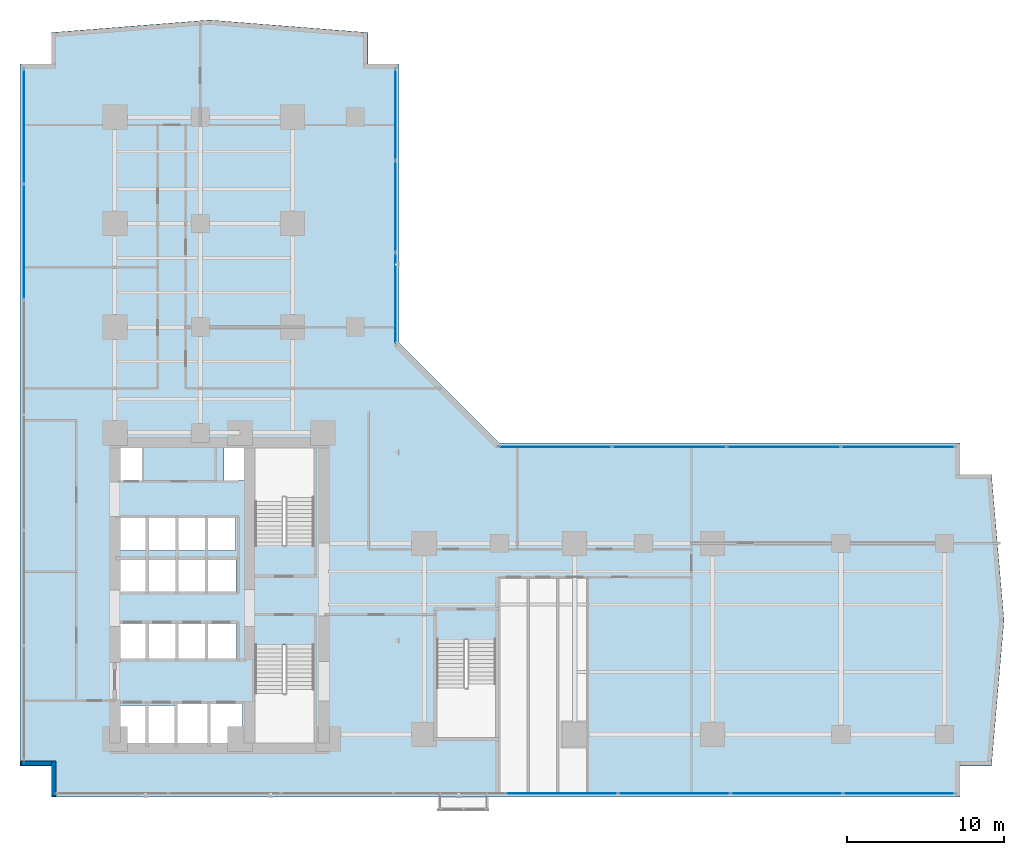
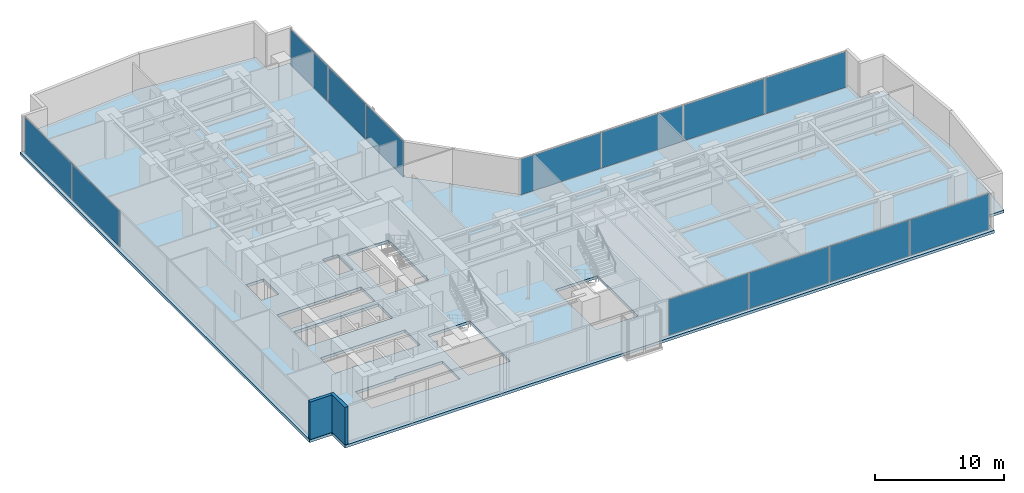
# One storey, part 21 of 27: 13 plates, 2 walls, 1 slab, 4 elements without a shape of their own.
"""IFC4 building model written with IfcOpenShell, lengths in metres."""

import ifcopenshell
import ifcopenshell.guid

model = None  # the IFC model being written
_history = None  # IfcOwnerHistory: only IFC2X3 demands one
_inside = {}  # id of a spatial element -> (the spatial element, [elements in it])
_under = {}  # id of a project, library or spatial element -> (it, [spatial elements below it])
_declared = {}  # id of a project -> (the project, [libraries it declares])
_typed = {}  # id of a type object -> (the type object, [elements of that type])
_made_of = {}  # id of a material, layer set ... -> (it, [elements and type objects made of it])


def new_model(schema):
    """Start an empty IFC model of exactly this schema.

    Asked for "IFC4X3", IfcOpenShell would pick the latest addendum, in which some entities
    have other attributes; the version numbers below select the first issue.
    IFC2X3 requires an IfcOwnerHistory on every rooted entity: one is made here for all.
    """
    global model, _history
    if schema == "IFC4X3":
        model = ifcopenshell.file(schema_version=(4, 3, 0, 0))
    else:
        model = ifcopenshell.file(schema=schema)
    _inside.clear()
    _under.clear()
    _declared.clear()
    _typed.clear()
    _made_of.clear()
    _history = None
    if model.schema == "IFC2X3":
        org = make("IfcOrganization", Name="unknown")
        user = make(
            "IfcPersonAndOrganization",
            ThePerson=make("IfcPerson", FamilyName="unknown"),
            TheOrganization=org,
        )
        app = make(
            "IfcApplication",
            ApplicationDeveloper=org,
            Version="unknown",
            ApplicationFullName="unknown",
            ApplicationIdentifier="unknown",
        )
        _history = make(
            "IfcOwnerHistory",
            OwningUser=user,
            OwningApplication=app,
            ChangeAction="ADDED",
            CreationDate=0,
        )
    return model


def make(cls, **values):
    """One entity of the class cls with the attributes given. An attribute that is None is left unset."""
    return model.create_entity(
        cls, **{name: value for name, value in values.items() if value is not None}
    )


def rooted(cls, **values):
    """An entity with a GlobalId (a new one), such as an element, a storey or a relation."""
    return make(cls, GlobalId=ifcopenshell.guid.new(), OwnerHistory=_history, **values)


def si_unit(unit_type, name, prefix=None):
    """IfcSIUnit, for example si_unit("LENGTHUNIT", "METRE", prefix="MILLI")."""
    return make("IfcSIUnit", UnitType=unit_type, Prefix=prefix, Name=name)


def assignment(units):
    """IfcUnitAssignment: the units of a project."""
    return None if units is None else make("IfcUnitAssignment", Units=units)


def point(xyz):
    """IfcCartesianPoint."""
    return None if xyz is None else make("IfcCartesianPoint", Coordinates=xyz)


def direction(xyz):
    """IfcDirection."""
    return None if xyz is None else make("IfcDirection", DirectionRatios=xyz)


def frame(location, z_axis=None, x_axis=None):
    """IfcAxis2Placement3D, a coordinate frame: its origin and axes. An axis left out is left unset."""
    return make(
        "IfcAxis2Placement3D",
        Location=point(location),
        Axis=direction(z_axis),
        RefDirection=direction(x_axis),
    )


def frame_2d(location, x_axis=None):
    """IfcAxis2Placement2D, a coordinate frame in the plane: its origin and x axis."""
    return make(
        "IfcAxis2Placement2D", Location=point(location), RefDirection=direction(x_axis)
    )


def origin():
    """The frame at (0, 0, 0) with its axes left unset."""
    return frame((0.0, 0.0, 0.0))


def origin_with_axes():
    """The frame at (0, 0, 0) with the z axis (0, 0, 1) and the x axis (1, 0, 0) written out."""
    return frame((0.0, 0.0, 0.0), z_axis=(0.0, 0.0, 1.0), x_axis=(1.0, 0.0, 0.0))


def origin_2d():
    """The frame at (0, 0) in the plane with its x axis left unset."""
    return frame_2d((0.0, 0.0))


def place(relative_to, where):
    """IfcLocalPlacement: puts the frame where relative to a parent placement (None: the world)."""
    return make(
        "IfcLocalPlacement", PlacementRelTo=relative_to, RelativePlacement=where
    )


def context(
    kind, dimensions, precision=None, world=None, true_north=None, identifier=None
):
    """IfcGeometricRepresentationContext, for example the 3D "Model" context."""
    return make(
        "IfcGeometricRepresentationContext",
        ContextIdentifier=identifier,
        ContextType=kind,
        CoordinateSpaceDimension=dimensions,
        Precision=precision,
        WorldCoordinateSystem=world,
        TrueNorth=true_north,
    )


def subcontext(parent, identifier, kind, view, scale=None):
    """IfcGeometricRepresentationSubContext, for example "Body" below "Model"."""
    return make(
        "IfcGeometricRepresentationSubContext",
        ContextIdentifier=identifier,
        ContextType=kind,
        ParentContext=parent,
        TargetScale=scale,
        TargetView=view,
    )


def project(units=None, contexts=None):
    """IfcProject with its units and contexts."""
    return rooted(
        "IfcProject",
        Name="project",
        RepresentationContexts=contexts,
        UnitsInContext=assignment(units),
    )


def spatial(cls, under=None, at=None, **own):
    """A site, building, storey or space (cls), placed at a placement, below another one or the project."""
    s = rooted(cls, ObjectPlacement=at, **own)
    if under is not None:
        _under.setdefault(under.id(), (under, []))[1].append(s)
    return s


def polyline(points):
    """IfcPolyline through the points."""
    return make("IfcPolyline", Points=[point(p) for p in points])


def profile(cls, at=None, kind="AREA", **sizes):
    """A parametric profile (cls). Its sizes go by their IFC names, for example OverallWidth=200.0."""
    return make(cls, ProfileType=kind, Position=at, **sizes)


def rectangle(**sizes):
    """IfcRectangleProfileDef."""
    return profile("IfcRectangleProfileDef", **sizes)


def outline(outer, holes=None, kind="AREA"):
    """IfcArbitraryClosedProfileDef: a profile drawn as a closed curve; with holes, ...WithVoids."""
    if holes is None:
        return make("IfcArbitraryClosedProfileDef", ProfileType=kind, OuterCurve=outer)
    return make(
        "IfcArbitraryProfileDefWithVoids",
        ProfileType=kind,
        OuterCurve=outer,
        InnerCurves=holes,
    )


def extrude(swept, where, along, depth):
    """IfcExtrudedAreaSolid: the profile swept, set in the frame where, extruded along a direction by depth."""
    return make(
        "IfcExtrudedAreaSolid",
        SweptArea=swept,
        Position=where,
        ExtrudedDirection=direction(along),
        Depth=depth,
    )


def shape(context_of_items, identifier, shape_type, items):
    """IfcShapeRepresentation: the items that make up one representation, for example the "Body"."""
    return make(
        "IfcShapeRepresentation",
        ContextOfItems=context_of_items,
        RepresentationIdentifier=identifier,
        RepresentationType=shape_type,
        Items=items,
    )


def source(mapping_origin, context_of_items, identifier, shape_type, items):
    """IfcRepresentationMap: a shape defined once, which mapped items show again and again."""
    return make(
        "IfcRepresentationMap",
        MappingOrigin=mapping_origin,
        MappedRepresentation=shape(context_of_items, identifier, shape_type, items),
    )


def transform(
    local_origin,
    x_axis=None,
    y_axis=None,
    z_axis=None,
    scale=None,
    scale2=None,
    scale3=None,
    uniform=True,
):
    """IfcCartesianTransformationOperator3D, or its non-uniform kind. x_axis, y_axis, z_axis: its Axis1, 2, 3."""
    if uniform:
        return make(
            "IfcCartesianTransformationOperator3D",
            Axis1=direction(x_axis),
            Axis2=direction(y_axis),
            LocalOrigin=point(local_origin),
            Scale=scale,
            Axis3=direction(z_axis),
        )
    return make(
        "IfcCartesianTransformationOperator3DnonUniform",
        Axis1=direction(x_axis),
        Axis2=direction(y_axis),
        LocalOrigin=point(local_origin),
        Scale=scale,
        Axis3=direction(z_axis),
        Scale2=scale2,
        Scale3=scale3,
    )


def mapped(mapping_source, mapping_target):
    """IfcMappedItem: shows the shape of a source again, moved by a transform."""
    return make(
        "IfcMappedItem", MappingSource=mapping_source, MappingTarget=mapping_target
    )


def material(Name=None, Category=None):
    """IfcMaterial."""
    return make("IfcMaterial", Name=Name, Category=Category)


def layer(
    of_material, thickness, ventilated=None, Name=None, Category=None, Priority=None
):
    """IfcMaterialLayer: one layer of a wall or slab, of a material (None: an air gap)."""
    return make(
        "IfcMaterialLayer",
        Material=of_material,
        LayerThickness=thickness,
        IsVentilated=ventilated,
        Name=Name,
        Category=Category,
        Priority=Priority,
    )


def layer_set(layers, Name=None):
    """IfcMaterialLayerSet."""
    return make("IfcMaterialLayerSet", MaterialLayers=layers, LayerSetName=Name)


def made_of(thing, what):
    """Note that an element or type object is made of a material, layer set ...; save() writes the relation."""
    if what is not None:
        _made_of.setdefault(what.id(), (what, []))[1].append(thing)
    return thing


def type_object(cls, material=None, **own):
    """A type object (cls), such as IfcWallType, which elements share."""
    return made_of(rooted(cls, **own), material)


def element(
    cls,
    number,
    at=None,
    inside=None,
    cuts=None,
    type_object=None,
    material=None,
    context=None,
    identifier="Body",
    shape_type=None,
    held_by="IfcProductDefinitionShape",
    body=None,
    shapes=None,
    **own,
):
    """One element of the class cls, such as IfcWall. Its Tag is "e" and its number.

    at: its placement. inside: the storey or other place that contains it. cuts: it is an
    opening in that element (IfcRelVoidsElement). A single representation is given by context,
    identifier, shape_type and body (its items); several are given by shapes. held_by: the class
    of the entity that holds the representations. save() writes the other relations.
    """
    e = rooted(cls, Tag="e%d" % number, ObjectPlacement=at, **own)
    if body is not None:
        shapes = [shape(context, identifier, shape_type, body)]
    if shapes is not None:
        e.Representation = make(held_by, Representations=shapes)
    if inside is not None:
        _inside.setdefault(inside.id(), (inside, []))[1].append(e)
    if cuts is not None:
        rooted(
            "IfcRelVoidsElement", RelatingBuildingElement=cuts, RelatedOpeningElement=e
        )
    if type_object is not None:
        _typed.setdefault(type_object.id(), (type_object, []))[1].append(e)
    return made_of(e, material)


def aggregate(whole, parts):
    """IfcRelAggregates: a whole, such as a stair, and the parts it consists of."""
    return rooted("IfcRelAggregates", RelatingObject=whole, RelatedObjects=parts)


def save(model, path):
    """Write the relations noted so far, then the file.

    IfcRelAggregates (storeys below a building ...), IfcRelContainedInSpatialStructure (elements
    in a storey), IfcRelDefinesByType, IfcRelAssociatesMaterial and IfcRelDeclares: one each for
    every whole, place, type object, material and project.
    """
    for whole, parts in _under.values():
        aggregate(whole, parts)
    for where, things in _inside.values():
        rooted(
            "IfcRelContainedInSpatialStructure",
            RelatedElements=things,
            RelatingStructure=where,
        )
    for kind, things in _typed.values():
        rooted("IfcRelDefinesByType", RelatedObjects=things, RelatingType=kind)
    for what, things in _made_of.values():
        rooted("IfcRelAssociatesMaterial", RelatedObjects=things, RelatingMaterial=what)
    for by, libraries in _declared.values():
        rooted("IfcRelDeclares", RelatingContext=by, RelatedDefinitions=libraries)
    model.write(path)


model = new_model("IFC4")

# Units and contexts
model_context = context("Model", 3, precision=1e-05, world=origin(), true_north=direction((0.0, 1.0)))
body_context = subcontext(model_context, "Body", "Model", "MODEL_VIEW")
ifc_project = project(units=[si_unit("LENGTHUNIT", "METRE"), si_unit("AREAUNIT", "SQUARE_METRE"), si_unit("VOLUMEUNIT", "CUBIC_METRE"), si_unit("PLANEANGLEUNIT", "RADIAN"), si_unit("MASSUNIT", "GRAM", prefix="KILO")], contexts=[model_context])

# Site, building, storey
site_placement = place(None, origin())
site = spatial("IfcSite", under=ifc_project, at=site_placement, CompositionType="ELEMENT")
building_placement = place(site_placement, origin())
building = spatial("IfcBuilding", under=site, at=building_placement, Name="Kolvaren Waterfront Exchange", CompositionType="ELEMENT")
storey_placement = place(building_placement, frame((0.0, 0.0, 33.39990234375)))
storey = spatial("IfcBuildingStorey", under=building, at=storey_placement, Name="L08", CompositionType="ELEMENT", Elevation=33.39990234375)

# Slab
ifc_material_1 = material(Name="Concrete C40/50", Category="concrete")
ifc_layer_1 = layer(ifc_material_1, 0.260009765625, Name="Concrete C40/50")
ifc_layer_set_1 = layer_set([ifc_layer_1], Name="Concrete C40/50")
slab_type = type_object("IfcSlabType", Name="STR-SLAB-260", PredefinedType="FLOOR", material=ifc_layer_set_1)
slab_placement = place(storey_placement, frame((0.0, 0.0, -0.260009765625)))
element("IfcSlab", 1, at=slab_placement, inside=storey, type_object=slab_type, Name="L08 structural floor slab", PredefinedType="FLOOR", context=body_context, shape_type="SweptSolid", body=[
    extrude(outline(polyline([(3.39990234375, 1.199951171875), (61.39990234375, 1.199951171875), (61.39990234375, 3.199951171875), (63.39990234375, 3.199951171875), (64.199951171875, 12.5), (63.39990234375, 21.800048828125), (61.39990234375, 21.800048828125), (61.39990234375, 23.800048828125), (32.0, 23.800048828125), (25.60009765625, 30.199951171875), (25.60009765625, 48.0), (23.60009765625, 48.0), (23.60009765625, 50.0), (13.5, 50.800048828125), (3.39990234375, 50.0), (3.39990234375, 48.0), (1.39990234375, 48.0), (1.39990234375, 3.199951171875), (3.39990234375, 3.199951171875), (3.39990234375, 1.199951171875)]), holes=[polyline([(11.320068359375, 7.260009765625), (15.610107421875, 7.260009765625), (15.610107421875, 4.5400390625), (7.719970703125, 4.5400390625), (7.719970703125, 7.06005859375), (11.320068359375, 7.06005859375), (11.320068359375, 7.260009765625)]), polyline([(20.159912109375, 4.64990234375), (16.39990234375, 4.64990234375), (16.39990234375, 10.89990234375), (20.159912109375, 10.89990234375), (20.159912109375, 4.64990234375)]), polyline([(31.760009765625, 5.0), (28.0, 5.0), (28.0, 11.25), (31.760009765625, 11.25), (31.760009765625, 5.0)]), polyline([(15.2099609375, 10.0400390625), (7.6201171875, 10.0400390625), (7.6201171875, 12.360107421875), (15.2099609375, 12.360107421875), (15.2099609375, 10.0400390625)]), polyline([(7.64501953125, 16.4599609375), (15.18505859375, 16.4599609375), (15.18505859375, 14.239990234375), (7.64501953125, 14.239990234375), (7.64501953125, 16.4599609375)]), polyline([(15.159912109375, 16.93994140625), (7.669921875, 16.93994140625), (7.669921875, 19.06005859375), (15.159912109375, 19.06005859375), (15.159912109375, 16.93994140625)]), polyline([(16.39990234375, 23.5), (20.159912109375, 23.5), (20.159912109375, 17.25), (16.39990234375, 17.25), (16.39990234375, 23.5)]), polyline([(7.60009765625, 23.780029296875), (9.179931640625, 23.780029296875), (9.179931640625, 21.419921875), (7.60009765625, 21.419921875), (7.60009765625, 23.780029296875)]), polyline([(15.800048828125, 23.780029296875), (15.800048828125, 21.419921875), (14.419921875, 21.419921875), (14.419921875, 23.780029296875), (15.800048828125, 23.780029296875)])]), origin(), (0.0, 0.0, 1.0), 0.260009765625),
])

# Curtain wall, plates
ifc_material_2 = material(Name="Anodised bronze aluminium 6063-T6", Category="aluminium")
ifc_layer_2 = layer(ifc_material_2, 0.219970703125, Name="Anodised bronze aluminium 6063-T6")
ifc_layer_set_2 = layer_set([ifc_layer_2], Name="Anodised bronze aluminium 6063-T6")
curtain_wall_type_1 = type_object("IfcCurtainWallType", Name="ARC-CW-SYS1", PredefinedType="USERDEFINED", material=ifc_layer_set_2)
curtain_wall_1_placement = place(storey_placement, origin())
curtain_wall_1 = element("IfcCurtainWall", 2, at=curtain_wall_1_placement, inside=storey, type_object=curtain_wall_type_1, Name="L08 stick curtain wall CW1 (CW-L08-S)", ObjectType="STICK CURTAIN WALL", PredefinedType="USERDEFINED")
ifc_material_3 = material(Name="Bronze solar control vision glass", Category="aluminium")
ifc_layer_3 = layer(ifc_material_3, 0.028076171875, Name="Bronze solar control vision glass")
ifc_layer_set_3 = layer_set([ifc_layer_3], Name="Bronze solar control vision glass")
plate_type_1 = type_object("IfcPlateType", Name="ARC-CWP-28", PredefinedType="CURTAIN_PANEL", material=ifc_layer_set_3)
shared_shape_1 = source(origin_with_axes(), body_context, "Body", "SweptSolid", [
    extrude(rectangle(XDim=7.054931640625, YDim=0.028076171875, at=origin_2d()), origin(), (0.0, 0.0, 1.0), 3.389892578125),
])
plate_1_placement = place(storey_placement, frame((57.492431640625, 1.43994140625, 0.0751953125), z_axis=(0.0, 0.0, 1.0), x_axis=(1.0, 0.0, 0.0)))
plate_1 = element("IfcPlate", 3, at=plate_1_placement, type_object=plate_type_1, Name="CW1 panel 8.1", PredefinedType="CURTAIN_PANEL", context=body_context, shape_type="MappedRepresentation", body=[
    mapped(shared_shape_1, transform((0.0, 0.0, 0.0), x_axis=(1.0, 0.0, 0.0), y_axis=(0.0, 1.0, 0.0), z_axis=(0.0, 0.0, 1.0), scale=1.0)),
])
shared_shape_2 = source(origin_with_axes(), body_context, "Body", "SweptSolid", [
    extrude(rectangle(XDim=7.094970703125, YDim=0.028076171875, at=origin_2d()), origin(), (0.0, 0.0, 1.0), 3.389892578125),
])
plate_2_placement = place(storey_placement, frame((35.987548828125, 1.43994140625, 0.0751953125), z_axis=(0.0, 0.0, 1.0), x_axis=(1.0, 0.0, 0.0)))
plate_2 = element("IfcPlate", 4, at=plate_2_placement, type_object=plate_type_1, Name="CW1 panel 5.1", PredefinedType="CURTAIN_PANEL", context=body_context, shape_type="MappedRepresentation", body=[
    mapped(shared_shape_2, transform((0.0, 0.0, 0.0), x_axis=(1.0, 0.0, 0.0), y_axis=(0.0, 1.0, 0.0), z_axis=(0.0, 0.0, 1.0), scale=1.0)),
])
plate_3_placement = place(storey_placement, frame((43.16259765625, 1.43994140625, 0.0751953125), z_axis=(0.0, 0.0, 1.0), x_axis=(1.0, 0.0, 0.0)))
plate_3 = element("IfcPlate", 5, at=plate_3_placement, type_object=plate_type_1, Name="CW1 panel 6.1", PredefinedType="CURTAIN_PANEL", context=body_context, shape_type="MappedRepresentation", body=[
    mapped(shared_shape_2, transform((0.0, 0.0, 0.0), x_axis=(1.0, 0.0, 0.0), y_axis=(0.0, 1.0, 0.0), z_axis=(0.0, 0.0, 1.0), scale=1.0)),
])
plate_4_placement = place(storey_placement, frame((50.33740234375, 1.43994140625, 0.0751953125), z_axis=(0.0, 0.0, 1.0), x_axis=(1.0, 0.0, 0.0)))
plate_4 = element("IfcPlate", 6, at=plate_4_placement, type_object=plate_type_1, Name="CW1 panel 7.1", PredefinedType="CURTAIN_PANEL", context=body_context, shape_type="MappedRepresentation", body=[
    mapped(shared_shape_2, transform((0.0, 0.0, 0.0), x_axis=(1.0, 0.0, 0.0), y_axis=(0.0, 1.0, 0.0), z_axis=(0.0, 0.0, 1.0), scale=1.0)),
])
aggregate(curtain_wall_1, [plate_2, plate_3, plate_4, plate_1])

ifc_material_4 = material(Name="Anodised aluminium 6063-T6", Category="aluminium")
ifc_layer_4 = layer(ifc_material_4, 0.219970703125, Name="Anodised aluminium 6063-T6")
ifc_layer_set_4 = layer_set([ifc_layer_4], Name="Anodised aluminium 6063-T6")
curtain_wall_type_2 = type_object("IfcCurtainWallType", Name="ARC-CW-SYS2", PredefinedType="USERDEFINED", material=ifc_layer_set_4)
curtain_wall_2_placement = place(storey_placement, origin())
curtain_wall_2 = element("IfcCurtainWall", 7, at=curtain_wall_2_placement, inside=storey, type_object=curtain_wall_type_2, Name="L08 stick curtain wall CW2 (CW-L08-W)", ObjectType="STICK CURTAIN WALL", PredefinedType="USERDEFINED")
ifc_material_5 = material(Name="Acoustic laminated vision glass", Category="glass")
ifc_layer_5 = layer(ifc_material_5, 0.031982421875, Name="Acoustic laminated vision glass")
ifc_layer_set_5 = layer_set([ifc_layer_5], Name="Acoustic laminated vision glass")
plate_type_2 = type_object("IfcPlateType", Name="ARC-CWP-32", PredefinedType="CURTAIN_PANEL", material=ifc_layer_set_5)
shared_shape_3 = source(origin_with_axes(), body_context, "Body", "SweptSolid", [
    extrude(rectangle(XDim=7.24658203125, YDim=0.031982421875, at=origin_2d()), origin(), (0.0, 0.0, 1.0), 3.389892578125),
])
plate_5_placement = place(storey_placement, frame((1.639892578125, 43.99658203125, 0.0751953125), z_axis=(0.0, 0.0, 1.0), x_axis=(0.0, 1.0, 0.0)))
plate_5 = element("IfcPlate", 8, at=plate_5_placement, type_object=plate_type_2, Name="CW2 panel 6.1", PredefinedType="CURTAIN_PANEL", context=body_context, shape_type="MappedRepresentation", body=[
    mapped(shared_shape_3, transform((0.0, 0.0, 0.0), x_axis=(1.0, 0.0, 0.0), y_axis=(0.0, 1.0, 0.0), z_axis=(0.0, 0.0, 1.0), scale=1.0)),
])
shared_shape_4 = source(origin_with_axes(), body_context, "Body", "SweptSolid", [
    extrude(rectangle(XDim=7.28662109375, YDim=0.031982421875, at=origin_2d()), origin(), (0.0, 0.0, 1.0), 3.389892578125),
])
plate_6_placement = place(storey_placement, frame((1.639892578125, 36.64990234375, 0.0751953125), z_axis=(0.0, 0.0, 1.0), x_axis=(0.0, 1.0, 0.0)))
plate_6 = element("IfcPlate", 9, at=plate_6_placement, type_object=plate_type_2, Name="CW2 panel 5.1", PredefinedType="CURTAIN_PANEL", context=body_context, shape_type="MappedRepresentation", body=[
    mapped(shared_shape_4, transform((0.0, 0.0, 0.0), x_axis=(1.0, 0.0, 0.0), y_axis=(0.0, 1.0, 0.0), z_axis=(0.0, 0.0, 1.0), scale=1.0)),
])
aggregate(curtain_wall_2, [plate_6, plate_5])

curtain_wall_3_placement = place(storey_placement, origin())
curtain_wall_3 = element("IfcCurtainWall", 10, at=curtain_wall_3_placement, inside=storey, type_object=curtain_wall_type_1, Name="L08 stick curtain wall CW1 (CW-L08-NE)", ObjectType="STICK CURTAIN WALL", PredefinedType="USERDEFINED")
shared_shape_5 = source(origin_with_axes(), body_context, "Body", "SweptSolid", [
    extrude(rectangle(XDim=5.75, YDim=0.028076171875, at=origin_2d()), origin(), (0.0, 0.0, 1.0), 3.389892578125),
])
plate_7_placement = place(storey_placement, frame((25.360107421875, 33.044921875, 0.0751953125), z_axis=(0.0, 0.0, 1.0), x_axis=(0.0, 1.0, 0.0)))
plate_7 = element("IfcPlate", 11, at=plate_7_placement, type_object=plate_type_1, Name="CW1 panel 1.1", PredefinedType="CURTAIN_PANEL", context=body_context, shape_type="MappedRepresentation", body=[
    mapped(shared_shape_5, transform((0.0, 0.0, 0.0), x_axis=(1.0, 0.0, 0.0), y_axis=(0.0, 1.0, 0.0), z_axis=(0.0, 0.0, 1.0), scale=1.0)),
])
plate_8_placement = place(storey_placement, frame((25.360107421875, 44.7451171875, 0.0751953125), z_axis=(0.0, 0.0, 1.0), x_axis=(0.0, 1.0, 0.0)))
plate_8 = element("IfcPlate", 12, at=plate_8_placement, type_object=plate_type_1, Name="CW1 panel 3.1", PredefinedType="CURTAIN_PANEL", context=body_context, shape_type="MappedRepresentation", body=[
    mapped(shared_shape_5, transform((0.0, 0.0, 0.0), x_axis=(1.0, 0.0, 0.0), y_axis=(0.0, 1.0, 0.0), z_axis=(0.0, 0.0, 1.0), scale=1.0)),
])
shared_shape_6 = source(origin_with_axes(), body_context, "Body", "SweptSolid", [
    extrude(rectangle(XDim=5.7900390625, YDim=0.028076171875, at=origin_2d()), origin(), (0.0, 0.0, 1.0), 3.389892578125),
])
plate_9_placement = place(storey_placement, frame((25.360107421875, 38.89501953125, 0.0751953125), z_axis=(0.0, 0.0, 1.0), x_axis=(0.0, 1.0, 0.0)))
plate_9 = element("IfcPlate", 13, at=plate_9_placement, type_object=plate_type_1, Name="CW1 panel 2.1", PredefinedType="CURTAIN_PANEL", context=body_context, shape_type="MappedRepresentation", body=[
    mapped(shared_shape_6, transform((0.0, 0.0, 0.0), x_axis=(1.0, 0.0, 0.0), y_axis=(0.0, 1.0, 0.0), z_axis=(0.0, 0.0, 1.0), scale=1.0)),
])
aggregate(curtain_wall_3, [plate_7, plate_9, plate_8])

curtain_wall_4_placement = place(storey_placement, origin())
curtain_wall_4 = element("IfcCurtainWall", 14, at=curtain_wall_4_placement, inside=storey, type_object=curtain_wall_type_1, Name="L08 stick curtain wall CW1 (CW-L08-EN)", ObjectType="STICK CURTAIN WALL", PredefinedType="USERDEFINED")
shared_shape_7 = source(origin_with_axes(), body_context, "Body", "SweptSolid", [
    extrude(rectangle(XDim=7.1826171875, YDim=0.028076171875, at=origin_2d()), origin(), (0.0, 0.0, 1.0), 3.389892578125),
])
plate_10_placement = place(storey_placement, frame((35.561279296875, 23.56005859375, 0.0751953125), z_axis=(0.0, 0.0, 1.0), x_axis=(1.0, 0.0, 0.0)))
plate_10 = element("IfcPlate", 15, at=plate_10_placement, type_object=plate_type_1, Name="CW1 panel 1.1", PredefinedType="CURTAIN_PANEL", context=body_context, shape_type="MappedRepresentation", body=[
    mapped(shared_shape_7, transform((0.0, 0.0, 0.0), x_axis=(1.0, 0.0, 0.0), y_axis=(0.0, 1.0, 0.0), z_axis=(0.0, 0.0, 1.0), scale=1.0)),
])
plate_11_placement = place(storey_placement, frame((57.4287109375, 23.56005859375, 0.0751953125), z_axis=(0.0, 0.0, 1.0), x_axis=(1.0, 0.0, 0.0)))
plate_11 = element("IfcPlate", 16, at=plate_11_placement, type_object=plate_type_1, Name="CW1 panel 4.1", PredefinedType="CURTAIN_PANEL", context=body_context, shape_type="MappedRepresentation", body=[
    mapped(shared_shape_7, transform((0.0, 0.0, 0.0), x_axis=(1.0, 0.0, 0.0), y_axis=(0.0, 1.0, 0.0), z_axis=(0.0, 0.0, 1.0), scale=1.0)),
])
shared_shape_8 = source(origin_with_axes(), body_context, "Body", "SweptSolid", [
    extrude(rectangle(XDim=7.222412109375, YDim=0.028076171875, at=origin_2d()), origin(), (0.0, 0.0, 1.0), 3.389892578125),
])
plate_12_placement = place(storey_placement, frame((42.84375, 23.56005859375, 0.0751953125), z_axis=(0.0, 0.0, 1.0), x_axis=(1.0, 0.0, 0.0)))
plate_12 = element("IfcPlate", 17, at=plate_12_placement, type_object=plate_type_1, Name="CW1 panel 2.1", PredefinedType="CURTAIN_PANEL", context=body_context, shape_type="MappedRepresentation", body=[
    mapped(shared_shape_8, transform((0.0, 0.0, 0.0), x_axis=(1.0, 0.0, 0.0), y_axis=(0.0, 1.0, 0.0), z_axis=(0.0, 0.0, 1.0), scale=1.0)),
])
plate_13_placement = place(storey_placement, frame((50.146240234375, 23.56005859375, 0.0751953125), z_axis=(0.0, 0.0, 1.0), x_axis=(1.0, 0.0, 0.0)))
plate_13 = element("IfcPlate", 18, at=plate_13_placement, type_object=plate_type_1, Name="CW1 panel 3.1", PredefinedType="CURTAIN_PANEL", context=body_context, shape_type="MappedRepresentation", body=[
    mapped(shared_shape_8, transform((0.0, 0.0, 0.0), x_axis=(1.0, 0.0, 0.0), y_axis=(0.0, 1.0, 0.0), z_axis=(0.0, 0.0, 1.0), scale=1.0)),
])
aggregate(curtain_wall_4, [plate_10, plate_12, plate_13, plate_11])

# Walls
ifc_material_6 = material(Name="Precast concrete C40/50", Category="concrete")
ifc_layer_6 = layer(ifc_material_6, 0.280029296875, Name="Precast concrete C40/50")
ifc_layer_set_6 = layer_set([ifc_layer_6], Name="Precast concrete C40/50")
wall_type = type_object("IfcWallType", Name="ARC-EXT-TERR-280", PredefinedType="SOLIDWALL", material=ifc_layer_set_6)
wall_1_placement = place(storey_placement, frame((3.56005859375, 1.260009765625, 0.0), z_axis=(0.0, 0.0, 1.0), x_axis=(0.0, 1.0, 0.0)))
element("IfcWall", 19, at=wall_1_placement, inside=storey, type_object=wall_type, Name="L08 notched corner spandrel pier SW-A", PredefinedType="SOLIDWALL", context=body_context, shape_type="SweptSolid", body=[
    extrude(rectangle(XDim=2.239990234375, YDim=0.280029296875, at=frame_2d((1.1201171875, 0.0))), origin(), (0.0, 0.0, 1.0), 3.5400390625),
])
wall_2_placement = place(storey_placement, frame((1.4599609375, 3.360107421875, 0.0), z_axis=(0.0, 0.0, 1.0), x_axis=(1.0, 0.0, 0.0)))
element("IfcWall", 20, at=wall_2_placement, inside=storey, type_object=wall_type, Name="L08 notched corner spandrel pier SW-B", PredefinedType="SOLIDWALL", context=body_context, shape_type="SweptSolid", body=[
    extrude(rectangle(XDim=1.9599609375, YDim=0.280029296875, at=frame_2d((0.97998046875, 0.0))), origin(), (0.0, 0.0, 1.0), 3.5400390625),
])

save(model, "model.ifc")
